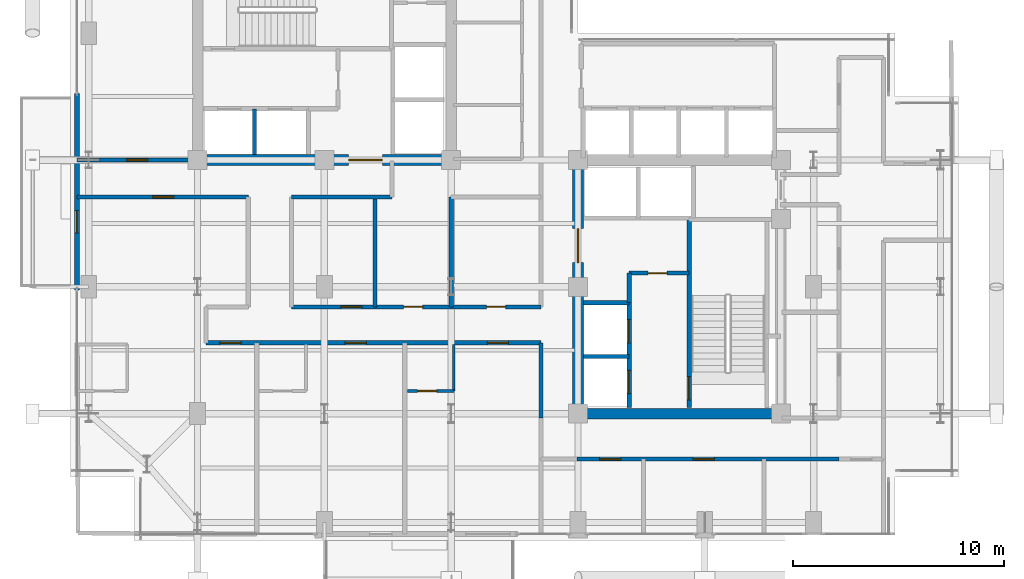
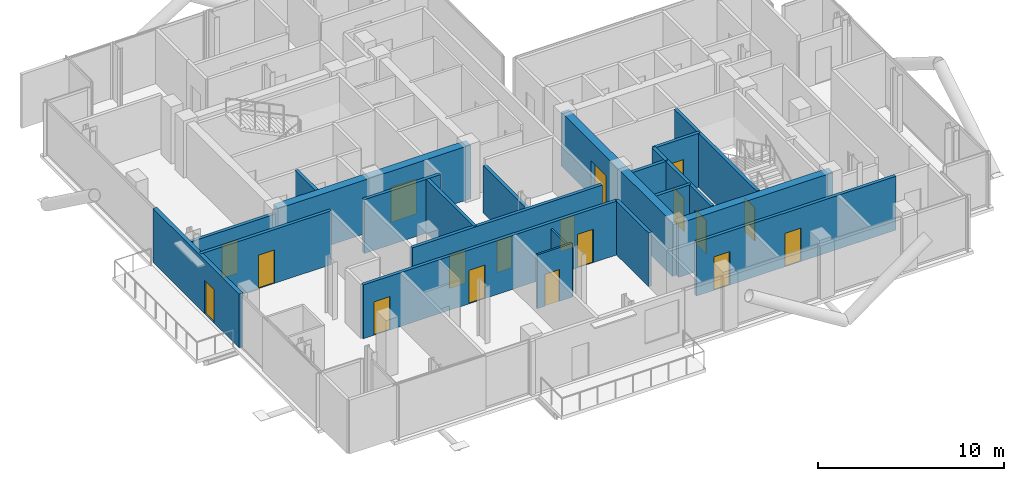
# One storey, part 17 of 22: 22 walls, 18 doors, 18 openings.
"""IFC4 building model written with IfcOpenShell, lengths in metres."""

from ifc_helpers import new_model, si_unit, direction, frame, frame_2d, origin, place, context, subcontext, project, spatial, rectangle, extrude, material, layer, layer_set, type_object, element, fill, save


model = new_model("IFC4")

# Units and contexts
model_context = context("Model", 3, precision=1e-05, world=origin(), true_north=direction((0.0, 1.0)))
body_context = subcontext(model_context, "Body", "Model", "MODEL_VIEW")
ifc_project = project(units=[si_unit("LENGTHUNIT", "METRE"), si_unit("AREAUNIT", "SQUARE_METRE"), si_unit("VOLUMEUNIT", "CUBIC_METRE"), si_unit("PLANEANGLEUNIT", "RADIAN"), si_unit("MASSUNIT", "GRAM", prefix="KILO"), si_unit("THERMODYNAMICTEMPERATUREUNIT", "KELVIN"), si_unit("POWERUNIT", "WATT")], contexts=[model_context])

# Site, building, storey
site_placement = place(None, origin())
site = spatial("IfcSite", under=ifc_project, at=site_placement, CompositionType="ELEMENT")
building_placement = place(site_placement, origin())
building = spatial("IfcBuilding", under=site, at=building_placement, Name="Svarakhadi Broadcast Tower", CompositionType="ELEMENT")
storey_placement = place(building_placement, frame((0.0, 0.0, 172.949951171875)))
storey = spatial("IfcBuildingStorey", under=building, at=storey_placement, Name="L42", CompositionType="ELEMENT", Elevation=172.949951171875)

# Wall, openings, doors
ifc_material_1 = material(Name="Double-Stud Acoustic Studio Partition STC-62", Category="gypsum")
ifc_layer_1 = layer(ifc_material_1, 0.199951171875)
ifc_layer_set_1 = layer_set([ifc_layer_1], Name="Double-Stud Acoustic Studio Partition STC-62")
wall_type_1 = type_object("IfcWallType", Name="Wall_Acoust_200", PredefinedType="PARTITIONING", material=ifc_layer_set_1)
wall_1_placement = place(storey_placement, frame((36.35009765625, 3.85009765625, 0.0), z_axis=(0.0, 0.0, 1.0), x_axis=(-1.0, 0.0, 0.0)))
wall_1 = element("IfcWall", 1, at=wall_1_placement, inside=storey, type_object=wall_type_1, Name="L42 Zone 2/3 Corridor Wall", PredefinedType="PARTITIONING", context=body_context, shape_type="SweptSolid", body=[
    extrude(rectangle(XDim=12.400146484375, YDim=0.199951171875, at=frame_2d((6.2001953125, 0.0))), origin(), (0.0, 0.0, 1.0), 3.5400390625),
])
opening_1_placement = place(wall_1_placement, frame((10.324951171875, 0.0, 0.0)))
opening_1 = element("IfcOpeningElement", 2, at=opening_1_placement, cuts=wall_1, Name="Opening D-09", PredefinedType="OPENING", context=body_context, shape_type="SweptSolid", body=[
    extrude(rectangle(XDim=1.0, YDim=2.199951171875, at=frame_2d((0.5, 1.10009765625))), frame((0.0, 0.10986328125, 0.0), z_axis=(0.0, -1.0, 0.0), x_axis=(1.0, 0.0, 0.0)), (0.0, 0.0, 1.0), 0.219970703125),
])
opening_2_placement = place(wall_1_placement, frame((5.89990234375, 0.0, 0.0)))
opening_2 = element("IfcOpeningElement", 3, at=opening_2_placement, cuts=wall_1, Name="Opening D-08", PredefinedType="OPENING", context=body_context, shape_type="SweptSolid", body=[
    extrude(rectangle(XDim=1.0, YDim=2.199951171875, at=frame_2d((0.5, 1.10009765625))), frame((0.0, 0.10986328125, 0.0), z_axis=(0.0, -1.0, 0.0), x_axis=(1.0, 0.0, 0.0)), (0.0, 0.0, 1.0), 0.219970703125),
])
ifc_material_2 = material(Name="Solid-Core Teak Veneer Acoustic Timber Leaf", Category="wood")
door_type_1 = type_object("IfcDoorType", Name="Door_Suite_D08", OperationType="SINGLE_SWING_LEFT", PredefinedType="DOOR", material=ifc_material_2)
door_1_placement = place(opening_2_placement, origin())
door_1 = element("IfcDoor", 4, at=door_1_placement, inside=storey, type_object=door_type_1, Name="L42 Private Dining Salon Door", OperationType="SINGLE_SWING_LEFT", OverallHeight=2.199951171875, OverallWidth=1.0, PredefinedType="DOOR", context=body_context, shape_type="SweptSolid", body=[
    extrude(rectangle(XDim=1.0, YDim=2.199951171875, at=frame_2d((0.5, 1.10009765625))), frame((0.0, 0.02490234375, 0.0), z_axis=(0.0, -1.0, 0.0), x_axis=(1.0, 0.0, 0.0)), (0.0, 0.0, 1.0), 0.050048828125),
])
fill(opening_2, door_1)
door_type_2 = type_object("IfcDoorType", Name="Door_Suite_D09", OperationType="SINGLE_SWING_RIGHT", PredefinedType="DOOR", material=ifc_material_2)
door_2_placement = place(opening_1_placement, origin())
door_2 = element("IfcDoor", 5, at=door_2_placement, inside=storey, type_object=door_type_2, Name="L42 Hotel Business Centre Office Door", OperationType="SINGLE_SWING_RIGHT", OverallHeight=2.199951171875, OverallWidth=1.0, PredefinedType="DOOR", context=body_context, shape_type="SweptSolid", body=[
    extrude(rectangle(XDim=1.0, YDim=2.199951171875, at=frame_2d((0.5, 1.10009765625))), frame((0.0, 0.02490234375, 0.0), z_axis=(0.0, -1.0, 0.0), x_axis=(1.0, 0.0, 0.0)), (0.0, 0.0, 1.0), 0.050048828125),
])
fill(opening_1, door_2)

# Wall
wall_2_placement = place(storey_placement, frame((22.25, 5.800048828125, 0.0), z_axis=(0.0, 0.0, 1.0), x_axis=(0.0, 1.0, 0.0)))
element("IfcWall", 6, at=wall_2_placement, inside=storey, type_object=wall_type_1, Name="L42 Zone 2/3 Corridor Wall", PredefinedType="PARTITIONING", context=body_context, shape_type="SweptSolid", body=[
    extrude(rectangle(XDim=3.550048828125, YDim=0.199951171875, at=frame_2d((1.77490234375, 0.0))), origin(), (0.0, 0.0, 1.0), 3.5400390625),
])

# Wall, openings, doors
wall_3_placement = place(storey_placement, frame((22.25, 9.35009765625, 0.0), z_axis=(0.0, 0.0, 1.0), x_axis=(-1.0, 0.0, 0.0)))
wall_3 = element("IfcWall", 7, at=wall_3_placement, inside=storey, type_object=wall_type_1, Name="L42 Zone 2/3 Corridor Wall", PredefinedType="PARTITIONING", context=body_context, shape_type="SweptSolid", body=[
    extrude(rectangle(XDim=15.85009765625, YDim=0.199951171875, at=frame_2d((7.925048828125, 0.0))), origin(), (0.0, 0.0, 1.0), 3.5400390625),
])
opening_3_placement = place(wall_3_placement, frame((14.18994140625, 0.0, 0.0)))
opening_3 = element("IfcOpeningElement", 8, at=opening_3_placement, cuts=wall_3, Name="Opening D-09", PredefinedType="OPENING", context=body_context, shape_type="SweptSolid", body=[
    extrude(rectangle(XDim=1.0, YDim=2.199951171875, at=frame_2d((0.5, 1.10009765625))), frame((0.0, 0.10986328125, 0.0), z_axis=(0.0, -1.0, 0.0), x_axis=(1.0, 0.0, 0.0)), (0.0, 0.0, 1.0), 0.219970703125),
])
opening_4_placement = place(wall_3_placement, frame((8.264892578125, 0.0, 0.0)))
opening_4 = element("IfcOpeningElement", 9, at=opening_4_placement, cuts=wall_3, Name="Opening D-08", PredefinedType="OPENING", context=body_context, shape_type="SweptSolid", body=[
    extrude(rectangle(XDim=1.0, YDim=2.199951171875, at=frame_2d((0.5, 1.10009765625))), frame((0.0, 0.10986328125, 0.0), z_axis=(0.0, -1.0, 0.0), x_axis=(1.0, 0.0, 0.0)), (0.0, 0.0, 1.0), 0.219970703125),
])
opening_5_placement = place(wall_3_placement, frame((1.5400390625, 0.0, 0.0)))
opening_5 = element("IfcOpeningElement", 10, at=opening_5_placement, cuts=wall_3, Name="Opening D-09", PredefinedType="OPENING", context=body_context, shape_type="SweptSolid", body=[
    extrude(rectangle(XDim=1.0, YDim=2.199951171875, at=frame_2d((0.5, 1.10009765625))), frame((0.0, 0.10986328125, 0.0), z_axis=(0.0, -1.0, 0.0), x_axis=(1.0, 0.0, 0.0)), (0.0, 0.0, 1.0), 0.219970703125),
])
door_3_placement = place(opening_4_placement, origin())
door_3 = element("IfcDoor", 11, at=door_3_placement, inside=storey, type_object=door_type_1, Name="L42 Deluxe Sea-View Guest Room 02 Entrance Door", OperationType="SINGLE_SWING_LEFT", OverallHeight=2.199951171875, OverallWidth=1.0, PredefinedType="DOOR", context=body_context, shape_type="SweptSolid", body=[
    extrude(rectangle(XDim=1.0, YDim=2.199951171875, at=frame_2d((0.5, 1.10009765625))), frame((0.0, 0.02490234375, 0.0), z_axis=(0.0, -1.0, 0.0), x_axis=(1.0, 0.0, 0.0)), (0.0, 0.0, 1.0), 0.050048828125),
])
fill(opening_4, door_3)
door_4_placement = place(opening_3_placement, origin())
door_4 = element("IfcDoor", 12, at=door_4_placement, inside=storey, type_object=door_type_2, Name="L42 Deluxe Sea-View Guest Room 01 Entrance Door", OperationType="SINGLE_SWING_RIGHT", OverallHeight=2.199951171875, OverallWidth=1.0, PredefinedType="DOOR", context=body_context, shape_type="SweptSolid", body=[
    extrude(rectangle(XDim=1.0, YDim=2.199951171875, at=frame_2d((0.5, 1.10009765625))), frame((0.0, 0.02490234375, 0.0), z_axis=(0.0, -1.0, 0.0), x_axis=(1.0, 0.0, 0.0)), (0.0, 0.0, 1.0), 0.050048828125),
])
fill(opening_3, door_4)
door_5_placement = place(opening_5_placement, origin())
door_5 = element("IfcDoor", 13, at=door_5_placement, inside=storey, type_object=door_type_2, Name="L42 Deluxe Sea-View Guest Room 03 Entrance Door", OperationType="SINGLE_SWING_RIGHT", OverallHeight=2.199951171875, OverallWidth=1.0, PredefinedType="DOOR", context=body_context, shape_type="SweptSolid", body=[
    extrude(rectangle(XDim=1.0, YDim=2.199951171875, at=frame_2d((0.5, 1.10009765625))), frame((0.0, 0.02490234375, 0.0), z_axis=(0.0, -1.0, 0.0), x_axis=(1.0, 0.0, 0.0)), (0.0, 0.0, 1.0), 0.050048828125),
])
fill(opening_5, door_5)

# Wall, opening, door
wall_4_placement = place(storey_placement, frame((8.39990234375, 16.25, 0.0), z_axis=(0.0, 0.0, 1.0), x_axis=(-1.0, 0.0, 0.0)))
wall_4 = element("IfcWall", 14, at=wall_4_placement, inside=storey, type_object=wall_type_1, Name="L42 Zone 2/3 Corridor Wall", PredefinedType="PARTITIONING", context=body_context, shape_type="SweptSolid", body=[
    extrude(rectangle(XDim=8.099853515625, YDim=0.199951171875, at=frame_2d((4.0498046875, 0.0))), origin(), (0.0, 0.0, 1.0), 3.5400390625),
])
opening_6_placement = place(wall_4_placement, frame((3.52490234375, 0.0, 0.0)))
opening_6 = element("IfcOpeningElement", 15, at=opening_6_placement, cuts=wall_4, Name="Opening D-08", PredefinedType="OPENING", context=body_context, shape_type="SweptSolid", body=[
    extrude(rectangle(XDim=1.0, YDim=2.199951171875, at=frame_2d((0.5, 1.10009765625))), frame((0.0, 0.10986328125, 0.0), z_axis=(0.0, -1.0, 0.0), x_axis=(1.0, 0.0, 0.0)), (0.0, 0.0, 1.0), 0.219970703125),
])
door_6_placement = place(opening_6_placement, origin())
door_6 = element("IfcDoor", 16, at=door_6_placement, inside=storey, type_object=door_type_1, Name="L42 Arabian Sea Club Lounge Door", OperationType="SINGLE_SWING_LEFT", OverallHeight=2.199951171875, OverallWidth=1.0, PredefinedType="DOOR", context=body_context, shape_type="SweptSolid", body=[
    extrude(rectangle(XDim=1.0, YDim=2.199951171875, at=frame_2d((0.5, 1.10009765625))), frame((0.0, 0.02490234375, 0.0), z_axis=(0.0, -1.0, 0.0), x_axis=(1.0, 0.0, 0.0)), (0.0, 0.0, 1.0), 0.050048828125),
])
fill(opening_6, door_6)

# Wall
wall_5_placement = place(storey_placement, frame((15.199951171875, 16.25, 0.0), z_axis=(0.0, 0.0, 1.0), x_axis=(-1.0, 0.0, 0.0)))
element("IfcWall", 17, at=wall_5_placement, inside=storey, type_object=wall_type_1, Name="L42 Zone 2/3 Corridor Wall", PredefinedType="PARTITIONING", context=body_context, shape_type="SweptSolid", body=[
    extrude(rectangle(XDim=4.75, YDim=0.199951171875, at=frame_2d((2.375, 0.0))), origin(), (0.0, 0.0, 1.0), 3.5400390625),
])

# Wall, openings, doors
wall_6_placement = place(storey_placement, frame((10.449951171875, 11.050048828125, 0.0), z_axis=(0.0, 0.0, 1.0), x_axis=(1.0, 0.0, 0.0)))
wall_6 = element("IfcWall", 18, at=wall_6_placement, inside=storey, type_object=wall_type_1, Name="L42 Zone 2/3 Corridor Wall", PredefinedType="PARTITIONING", context=body_context, shape_type="SweptSolid", body=[
    extrude(rectangle(XDim=11.800048828125, YDim=0.199951171875, at=frame_2d((5.89990234375, 0.0))), origin(), (0.0, 0.0, 1.0), 3.5400390625),
])
opening_7_placement = place(wall_6_placement, frame((2.330078125, 0.0, 0.0)))
opening_7 = element("IfcOpeningElement", 19, at=opening_7_placement, cuts=wall_6, Name="Opening D-09", PredefinedType="OPENING", context=body_context, shape_type="SweptSolid", body=[
    extrude(rectangle(XDim=1.0, YDim=2.199951171875, at=frame_2d((0.5, 1.10009765625))), frame((0.0, 0.10986328125, 0.0), z_axis=(0.0, -1.0, 0.0), x_axis=(1.0, 0.0, 0.0)), (0.0, 0.0, 1.0), 0.219970703125),
])
opening_8_placement = place(wall_6_placement, frame((5.300048828125, 0.0, 0.0)))
opening_8 = element("IfcOpeningElement", 20, at=opening_8_placement, cuts=wall_6, Name="Opening D-12", PredefinedType="OPENING", context=body_context, shape_type="SweptSolid", body=[
    extrude(rectangle(XDim=0.89990234375, YDim=2.10009765625, at=frame_2d((0.449951171875, 1.050048828125))), frame((0.0, 0.10986328125, 0.0), z_axis=(0.0, -1.0, 0.0), x_axis=(1.0, 0.0, 0.0)), (0.0, 0.0, 1.0), 0.219970703125),
])
opening_9_placement = place(wall_6_placement, frame((9.22509765625, 0.0, 0.0)))
opening_9 = element("IfcOpeningElement", 21, at=opening_9_placement, cuts=wall_6, Name="Opening D-13", PredefinedType="OPENING", context=body_context, shape_type="SweptSolid", body=[
    extrude(rectangle(XDim=0.89990234375, YDim=2.10009765625, at=frame_2d((0.449951171875, 1.050048828125))), frame((0.0, 0.10986328125, 0.0), z_axis=(0.0, -1.0, 0.0), x_axis=(1.0, 0.0, 0.0)), (0.0, 0.0, 1.0), 0.219970703125),
])
door_type_3 = type_object("IfcDoorType", Name="Door_Closet_D13", OperationType="SINGLE_SWING_RIGHT", PredefinedType="DOOR", material=ifc_material_2)
door_7_placement = place(opening_9_placement, origin())
door_7 = element("IfcDoor", 22, at=door_7_placement, inside=storey, type_object=door_type_3, Name="L42 Accessible Floor Washroom WC Door", OperationType="SINGLE_SWING_RIGHT", OverallHeight=2.10009765625, OverallWidth=0.89990234375, PredefinedType="DOOR", context=body_context, shape_type="SweptSolid", body=[
    extrude(rectangle(XDim=0.89990234375, YDim=2.10009765625, at=frame_2d((0.449951171875, 1.050048828125))), frame((0.0, 0.02490234375, 0.0), z_axis=(0.0, -1.0, 0.0), x_axis=(1.0, 0.0, 0.0)), (0.0, 0.0, 1.0), 0.050048828125),
])
fill(opening_9, door_7)
door_8_placement = place(opening_7_placement, origin())
door_8 = element("IfcDoor", 23, at=door_8_placement, inside=storey, type_object=door_type_2, Name="L42 Acoustic Huddle Booth Door", OperationType="SINGLE_SWING_RIGHT", OverallHeight=2.199951171875, OverallWidth=1.0, PredefinedType="DOOR", context=body_context, shape_type="SweptSolid", body=[
    extrude(rectangle(XDim=1.0, YDim=2.199951171875, at=frame_2d((0.5, 1.10009765625))), frame((0.0, 0.02490234375, 0.0), z_axis=(0.0, -1.0, 0.0), x_axis=(1.0, 0.0, 0.0)), (0.0, 0.0, 1.0), 0.050048828125),
])
fill(opening_7, door_8)
door_type_4 = type_object("IfcDoorType", Name="Door_WC_D01", OperationType="SINGLE_SWING_LEFT", PredefinedType="DOOR", material=ifc_material_2)
door_9_placement = place(opening_8_placement, origin())
door_9 = element("IfcDoor", 24, at=door_9_placement, inside=storey, type_object=door_type_4, Name="L42 Tea Bar Pantry Door", OperationType="SINGLE_SWING_LEFT", OverallHeight=2.10009765625, OverallWidth=0.89990234375, PredefinedType="DOOR", context=body_context, shape_type="SweptSolid", body=[
    extrude(rectangle(XDim=0.89990234375, YDim=2.10009765625, at=frame_2d((0.449951171875, 1.050048828125))), frame((0.0, 0.02490234375, 0.0), z_axis=(0.0, -1.0, 0.0), x_axis=(1.0, 0.0, 0.0)), (0.0, 0.0, 1.0), 0.050048828125),
])
fill(opening_8, door_9)

# Walls
wall_7_placement = place(storey_placement, frame((14.39990234375, 11.050048828125, 0.0), z_axis=(0.0, 0.0, 1.0), x_axis=(0.0, 1.0, 0.0)))
element("IfcWall", 25, at=wall_7_placement, inside=storey, type_object=wall_type_1, Name="L42 Acoustic Huddle Booth Wall", PredefinedType="PARTITIONING", context=body_context, shape_type="SweptSolid", body=[
    extrude(rectangle(XDim=5.199951171875, YDim=0.199951171875, at=frame_2d((2.60009765625, 0.0))), origin(), (0.0, 0.0, 1.0), 3.5400390625),
])
wall_8_placement = place(storey_placement, frame((18.0, 11.050048828125, 0.0), z_axis=(0.0, 0.0, 1.0), x_axis=(0.0, 1.0, 0.0)))
element("IfcWall", 26, at=wall_8_placement, inside=storey, type_object=wall_type_1, Name="L42 Tea Bar Pantry Wall", PredefinedType="PARTITIONING", context=body_context, shape_type="SweptSolid", body=[
    extrude(rectangle(XDim=5.199951171875, YDim=0.199951171875, at=frame_2d((2.60009765625, 0.0))), origin(), (0.0, 0.0, 1.0), 3.132080078125),
])

# Wall, opening, door
wall_9_placement = place(storey_placement, frame((0.300048828125, 18.0, 0.0), z_axis=(0.0, 0.0, 1.0), x_axis=(1.0, 0.0, 0.0)))
wall_9 = element("IfcWall", 27, at=wall_9_placement, inside=storey, type_object=wall_type_1, Name="L42 Sea-View Panorama Club Salon Wall", PredefinedType="PARTITIONING", context=body_context, shape_type="SweptSolid", body=[
    extrude(rectangle(XDim=5.64990234375, YDim=0.199951171875, at=frame_2d((2.824951171875, 0.0))), origin(), (0.0, 0.0, 1.0), 3.132080078125),
])
opening_10_placement = place(wall_9_placement, frame((2.35009765625, 0.0, 0.0)))
opening_10 = element("IfcOpeningElement", 28, at=opening_10_placement, cuts=wall_9, Name="Opening D-08", PredefinedType="OPENING", context=body_context, shape_type="SweptSolid", body=[
    extrude(rectangle(XDim=1.0, YDim=2.199951171875, at=frame_2d((0.5, 1.10009765625))), frame((0.0, 0.10986328125, 0.0), z_axis=(0.0, -1.0, 0.0), x_axis=(1.0, 0.0, 0.0)), (0.0, 0.0, 1.0), 0.219970703125),
])
door_10_placement = place(opening_10_placement, origin())
door_10 = element("IfcDoor", 29, at=door_10_placement, inside=storey, type_object=door_type_1, Name="L42 Sea-View Panorama Club Salon Door", OperationType="SINGLE_SWING_LEFT", OverallHeight=2.199951171875, OverallWidth=1.0, PredefinedType="DOOR", context=body_context, shape_type="SweptSolid", body=[
    extrude(rectangle(XDim=1.0, YDim=2.199951171875, at=frame_2d((0.5, 1.10009765625))), frame((0.0, 0.02490234375, 0.0), z_axis=(0.0, -1.0, 0.0), x_axis=(1.0, 0.0, 0.0)), (0.0, 0.0, 1.0), 0.050048828125),
])
fill(opening_10, door_10)

ifc_material_3 = material(Name="Concrete C40/50 (IS 456 M50)", Category="concrete")
ifc_layer_2 = layer(ifc_material_3, 0.239990234375)
ifc_layer_set_2 = layer_set([ifc_layer_2], Name="Concrete C40/50 (IS 456 M50)")
wall_type_2 = type_object("IfcWallType", Name="Wall_Ext_240", PredefinedType="SOLIDWALL", material=ifc_layer_set_2)
wall_10_placement = place(storey_placement, frame((0.300048828125, 11.85498046875, 0.0), z_axis=(0.0, 0.0, 1.0), x_axis=(0.0, 1.0, 0.0)))
wall_10 = element("IfcWall", 30, at=wall_10_placement, inside=storey, type_object=wall_type_2, Name="L42 West Tree Balcony Spandrel Wall", PredefinedType="SOLIDWALL", context=body_context, shape_type="SweptSolid", body=[
    extrude(rectangle(XDim=9.2900390625, YDim=0.239990234375, at=frame_2d((4.64501953125, 0.0))), origin(), (0.0, 0.0, 1.0), 3.5400390625),
])
opening_11_placement = place(wall_10_placement, frame((2.699951171875, 0.0, 0.0)))
opening_11 = element("IfcOpeningElement", 31, at=opening_11_placement, cuts=wall_10, Name="Opening ED-05", PredefinedType="OPENING", context=body_context, shape_type="SweptSolid", body=[
    extrude(rectangle(XDim=1.050048828125, YDim=2.199951171875, at=frame_2d((0.52490234375, 1.10009765625))), frame((0.0, 0.1298828125, 0.0), z_axis=(0.0, -1.0, 0.0), x_axis=(1.0, 0.0, 0.0)), (0.0, 0.0, 1.0), 0.260009765625),
])
ifc_material_4 = material(Name="Anodised Bronze Aluminium AA 6063-T6", Category="aluminium")
door_type_5 = type_object("IfcDoorType", Name="Door_Ext_ED05", OperationType="SINGLE_SWING_LEFT", PredefinedType="DOOR", material=ifc_material_4)
door_11_placement = place(opening_11_placement, origin())
door_11 = element("IfcDoor", 32, at=door_11_placement, inside=storey, type_object=door_type_5, Name="L42 West Tree Balcony Door", OperationType="SINGLE_SWING_LEFT", OverallHeight=2.199951171875, OverallWidth=1.050048828125, PredefinedType="DOOR", context=body_context, shape_type="SweptSolid", body=[
    extrude(rectangle(XDim=1.050048828125, YDim=2.199951171875, at=frame_2d((0.52490234375, 1.10009765625))), frame((0.0, 0.02490234375, 0.0), z_axis=(0.0, -1.0, 0.0), x_axis=(1.0, 0.0, 0.0)), (0.0, 0.0, 1.0), 0.050048828125),
])
fill(opening_11, door_11)

ifc_material_5 = material(Name="Fire-Rated Moisture-Resistant Gypsum Board Partition", Category="gypsum")
ifc_layer_3 = layer(ifc_material_5, 0.125)
ifc_layer_set_3 = layer_set([ifc_layer_3], Name="Fire-Rated Moisture-Resistant Gypsum Board Partition")
wall_type_3 = type_object("IfcWallType", Name="Wall_Part_125", PredefinedType="PARTITIONING", material=ifc_layer_set_3)
wall_11_placement = place(storey_placement, frame((15.929931640625, 7.070068359375, 0.0), z_axis=(0.0, 0.0, 1.0), x_axis=(1.0, 0.0, 0.0)))
wall_11 = element("IfcWall", 33, at=wall_11_placement, inside=storey, type_object=wall_type_3, Name="L42 Deluxe Sea-View Guest Room 03 En-Suite Wall", PredefinedType="PARTITIONING", context=body_context, shape_type="SweptSolid", body=[
    extrude(rectangle(XDim=2.199951171875, YDim=0.125, at=frame_2d((1.10009765625, 0.0))), origin(), (0.0, 0.0, 1.0), 3.5400390625),
])
opening_12_placement = place(wall_11_placement, frame((0.47998046875, 0.0, 0.0)))
opening_12 = element("IfcOpeningElement", 34, at=opening_12_placement, cuts=wall_11, Name="Opening D-12", PredefinedType="OPENING", context=body_context, shape_type="SweptSolid", body=[
    extrude(rectangle(XDim=0.89990234375, YDim=2.10009765625, at=frame_2d((0.449951171875, 1.050048828125))), frame((0.0, 0.072509765625, 0.0), z_axis=(0.0, -1.0, 0.0), x_axis=(1.0, 0.0, 0.0)), (0.0, 0.0, 1.0), 0.14501953125),
])
door_12_placement = place(opening_12_placement, origin())
door_12 = element("IfcDoor", 35, at=door_12_placement, inside=storey, type_object=door_type_4, Name="L42 Deluxe Sea-View Guest Room 03 En-Suite Door", OperationType="SINGLE_SWING_LEFT", OverallHeight=2.10009765625, OverallWidth=0.89990234375, PredefinedType="DOOR", context=body_context, shape_type="SweptSolid", body=[
    extrude(rectangle(XDim=0.89990234375, YDim=2.10009765625, at=frame_2d((0.449951171875, 1.050048828125))), frame((0.0, 0.02490234375, 0.0), z_axis=(0.0, -1.0, 0.0), x_axis=(1.0, 0.0, 0.0)), (0.0, 0.0, 1.0), 0.050048828125),
])
fill(opening_12, door_12)

# Wall
wall_12_placement = place(storey_placement, frame((18.1298828125, 7.070068359375, 0.0), z_axis=(0.0, 0.0, 1.0), x_axis=(0.0, 1.0, 0.0)))
element("IfcWall", 36, at=wall_12_placement, inside=storey, type_object=wall_type_3, Name="L42 Deluxe Sea-View Guest Room 03 En-Suite Wall", PredefinedType="PARTITIONING", context=body_context, shape_type="SweptSolid", body=[
    extrude(rectangle(XDim=2.199951171875, YDim=0.125, at=frame_2d((1.10009765625, 0.0))), origin(), (0.0, 0.0, 1.0), 3.132080078125),
])

# Wall, opening, door
ifc_material_6 = material(Name="Concrete C50/60 (IS 456 M60)", Category="concrete")
ifc_layer_4 = layer(ifc_material_6, 0.199951171875)
ifc_layer_set_4 = layer_set([ifc_layer_4], Name="Concrete C50/60 (IS 456 M60)")
wall_type_4 = type_object("IfcWallType", Name="Wall_Shear_200", PredefinedType="SHEAR", material=ifc_layer_set_4)
wall_13_placement = place(storey_placement, frame((29.260009765625, 6.300048828125, 0.0), z_axis=(0.0, 0.0, 1.0), x_axis=(0.0, 1.0, 0.0)))
wall_13 = element("IfcWall", 37, at=wall_13_placement, inside=storey, type_object=wall_type_4, Name="L42 Stair ST-02 West RC Shaft Wall", PredefinedType="SHEAR", context=body_context, shape_type="SweptSolid", body=[
    extrude(rectangle(XDim=8.8798828125, YDim=0.199951171875, at=frame_2d((4.43994140625, 0.0))), origin(), (0.0, 0.0, 1.0), 3.5400390625),
])
opening_13_placement = place(wall_13_placement, frame((0.35009765625, 0.0, 0.0)))
opening_13 = element("IfcOpeningElement", 38, at=opening_13_placement, cuts=wall_13, Name="Opening D-02", PredefinedType="OPENING", context=body_context, shape_type="SweptSolid", body=[
    extrude(rectangle(XDim=1.10009765625, YDim=2.199951171875, at=frame_2d((0.550048828125, 1.10009765625))), frame((0.0, 0.10986328125, 0.0), z_axis=(0.0, -1.0, 0.0), x_axis=(1.0, 0.0, 0.0)), (0.0, 0.0, 1.0), 0.219970703125),
])
ifc_material_7 = material(Name="Galvanised Powder-Coated Fire-Rated Steel Leaf", Category="steel")
door_type_6 = type_object("IfcDoorType", Name="Door_Stair_D02", OperationType="SINGLE_SWING_RIGHT", PredefinedType="DOOR", material=ifc_material_7)
door_13_placement = place(opening_13_placement, origin())
door_13 = element("IfcDoor", 39, at=door_13_placement, inside=storey, type_object=door_type_6, Name="L42 Protected Exit Stair ST-02 Fire Door", OperationType="SINGLE_SWING_RIGHT", OverallHeight=2.199951171875, OverallWidth=1.10009765625, PredefinedType="DOOR", context=body_context, shape_type="SweptSolid", body=[
    extrude(rectangle(XDim=1.10009765625, YDim=2.199951171875, at=frame_2d((0.550048828125, 1.10009765625))), frame((0.0, 0.02490234375, 0.0), z_axis=(0.0, -1.0, 0.0), x_axis=(1.0, 0.0, 0.0)), (0.0, 0.0, 1.0), 0.050048828125),
])
fill(opening_13, door_13)

# Wall
wall_14_placement = place(storey_placement, frame((8.699951171875, 18.25, 0.0), z_axis=(0.0, 0.0, 1.0), x_axis=(0.0, 1.0, 0.0)))
element("IfcWall", 40, at=wall_14_placement, inside=storey, type_object=wall_type_4, Name="L42 Firefighting Lift LF-01/02 Divider Wall", PredefinedType="SHEAR", context=body_context, shape_type="SweptSolid", body=[
    extrude(rectangle(XDim=2.169921875, YDim=0.199951171875, at=frame_2d((1.0849609375, 0.0))), origin(), (0.0, 0.0, 1.0), 3.5400390625),
])

# Wall, openings, doors
wall_15_placement = place(storey_placement, frame((26.419921875, 6.300048828125, 0.0), z_axis=(0.0, 0.0, 1.0), x_axis=(0.0, 1.0, 0.0)))
wall_15 = element("IfcWall", 41, at=wall_15_placement, inside=storey, type_object=wall_type_4, Name="L42 Firefighting Lift LF-03/04 Shaft Wall", PredefinedType="SHEAR", context=body_context, shape_type="SweptSolid", body=[
    extrude(rectangle(XDim=4.949951171875, YDim=0.199951171875, at=frame_2d((2.47509765625, 0.0))), origin(), (0.0, 0.0, 1.0), 3.5400390625),
])
opening_14_placement = place(wall_15_placement, frame((0.64990234375, 0.0, 0.0)))
opening_14 = element("IfcOpeningElement", 42, at=opening_14_placement, cuts=wall_15, Name="Opening LD-01", PredefinedType="OPENING", context=body_context, shape_type="SweptSolid", body=[
    extrude(rectangle(XDim=1.10009765625, YDim=2.199951171875, at=frame_2d((0.550048828125, 1.10009765625))), frame((0.0, 0.10986328125, 0.0), z_axis=(0.0, -1.0, 0.0), x_axis=(1.0, 0.0, 0.0)), (0.0, 0.0, 1.0), 0.219970703125),
])
opening_15_placement = place(wall_15_placement, frame((3.050048828125, 0.0, 0.0)))
opening_15 = element("IfcOpeningElement", 43, at=opening_15_placement, cuts=wall_15, Name="Opening LD-01", PredefinedType="OPENING", context=body_context, shape_type="SweptSolid", body=[
    extrude(rectangle(XDim=1.10009765625, YDim=2.199951171875, at=frame_2d((0.550048828125, 1.10009765625))), frame((0.0, 0.10986328125, 0.0), z_axis=(0.0, -1.0, 0.0), x_axis=(1.0, 0.0, 0.0)), (0.0, 0.0, 1.0), 0.219970703125),
])
door_type_7 = type_object("IfcDoorType", Name="Door_Lift_LD01", OperationType="SLIDING_TO_LEFT", PredefinedType="DOOR", material=ifc_material_7)
door_14_placement = place(opening_14_placement, origin())
door_14 = element("IfcDoor", 44, at=door_14_placement, inside=storey, type_object=door_type_7, Name="L42 Firefighting Lift LF-03 Landing Door", OperationType="SLIDING_TO_LEFT", OverallHeight=2.199951171875, OverallWidth=1.10009765625, PredefinedType="DOOR", context=body_context, shape_type="SweptSolid", body=[
    extrude(rectangle(XDim=1.10009765625, YDim=2.199951171875, at=frame_2d((0.550048828125, 1.10009765625))), frame((0.0, 0.02490234375, 0.0), z_axis=(0.0, -1.0, 0.0), x_axis=(1.0, 0.0, 0.0)), (0.0, 0.0, 1.0), 0.050048828125),
])
fill(opening_14, door_14)
door_15_placement = place(opening_15_placement, origin())
door_15 = element("IfcDoor", 45, at=door_15_placement, inside=storey, type_object=door_type_7, Name="L42 Firefighting Lift LF-04 Landing Door", OperationType="SLIDING_TO_LEFT", OverallHeight=2.199951171875, OverallWidth=1.10009765625, PredefinedType="DOOR", context=body_context, shape_type="SweptSolid", body=[
    extrude(rectangle(XDim=1.10009765625, YDim=2.199951171875, at=frame_2d((0.550048828125, 1.10009765625))), frame((0.0, 0.02490234375, 0.0), z_axis=(0.0, -1.0, 0.0), x_axis=(1.0, 0.0, 0.0)), (0.0, 0.0, 1.0), 0.050048828125),
])
fill(opening_15, door_15)

# Walls
for number, where, z_axis, x_axis, name in (
    (46, (24.25, 8.699951171875, 0.0), (0.0, 0.0, 1.0), (1.0, 0.0, 0.0), "L42 Firefighting Lift LF-03/04 Divider Wall"),
    (47, (24.25, 11.25, 0.0), (0.0, 0.0, 1.0), (1.0, 0.0, 0.0), "L42 Firefighting Lift LF-04 North Wall"),
):
    element("IfcWall", number, at=place(storey_placement, frame(where, z_axis=z_axis, x_axis=x_axis)), inside=storey, type_object=wall_type_4, Name=name, PredefinedType="SHEAR", context=body_context, shape_type="SweptSolid", body=[
        extrude(rectangle(XDim=2.169921875, YDim=0.199951171875, at=frame_2d((1.0849609375, 0.0))), origin(), (0.0, 0.0, 1.0), 3.5400390625),
    ])
wall_16_placement = place(storey_placement, frame((26.419921875, 11.25, 0.0), z_axis=(0.0, 0.0, 1.0), x_axis=(0.0, 1.0, 0.0)))
element("IfcWall", 48, at=wall_16_placement, inside=storey, type_object=wall_type_4, Name="L42 East Firefighting Lobby West Wall", PredefinedType="SHEAR", context=body_context, shape_type="SweptSolid", body=[
    extrude(rectangle(XDim=1.39990234375, YDim=0.199951171875, at=frame_2d((0.699951171875, 0.0))), origin(), (0.0, 0.0, 1.0), 3.5400390625),
])

# Wall, opening, door
wall_17_placement = place(storey_placement, frame((26.419921875, 12.64990234375, 0.0), z_axis=(0.0, 0.0, 1.0), x_axis=(1.0, 0.0, 0.0)))
wall_17 = element("IfcWall", 49, at=wall_17_placement, inside=storey, type_object=wall_type_4, Name="L42 East Firefighting Lobby North Wall", PredefinedType="SHEAR", context=body_context, shape_type="SweptSolid", body=[
    extrude(rectangle(XDim=2.840087890625, YDim=0.199951171875, at=frame_2d((1.419921875, 0.0))), origin(), (0.0, 0.0, 1.0), 3.5400390625),
])
opening_16_placement = place(wall_17_placement, frame((0.89990234375, 0.0, 0.0)))
opening_16 = element("IfcOpeningElement", 50, at=opening_16_placement, cuts=wall_17, Name="Opening D-04", PredefinedType="OPENING", context=body_context, shape_type="SweptSolid", body=[
    extrude(rectangle(XDim=0.89990234375, YDim=2.14990234375, at=frame_2d((0.449951171875, 1.074951171875))), frame((0.0, 0.10986328125, 0.0), z_axis=(0.0, -1.0, 0.0), x_axis=(1.0, 0.0, 0.0)), (0.0, 0.0, 1.0), 0.219970703125),
])
door_type_8 = type_object("IfcDoorType", Name="Door_Fire_D04", OperationType="SINGLE_SWING_RIGHT", PredefinedType="DOOR", material=ifc_material_7)
door_16_placement = place(opening_16_placement, origin())
door_16 = element("IfcDoor", 51, at=door_16_placement, inside=storey, type_object=door_type_8, Name="L42 East Firefighting Lobby Fire Door", OperationType="SINGLE_SWING_RIGHT", OverallHeight=2.14990234375, OverallWidth=0.89990234375, PredefinedType="DOOR", context=body_context, shape_type="SweptSolid", body=[
    extrude(rectangle(XDim=0.89990234375, YDim=2.14990234375, at=frame_2d((0.449951171875, 1.074951171875))), frame((0.0, 0.02490234375, 0.0), z_axis=(0.0, -1.0, 0.0), x_axis=(1.0, 0.0, 0.0)), (0.0, 0.0, 1.0), 0.050048828125),
])
fill(opening_16, door_16)

ifc_layer_5 = layer(ifc_material_6, 0.5)
ifc_layer_set_5 = layer_set([ifc_layer_5], Name="Concrete C50/60 (IS 456 M60)")
wall_type_5 = type_object("IfcWallType", Name="Wall_Shear_500", PredefinedType="SHEAR", material=ifc_layer_set_5)
wall_18_placement = place(storey_placement, frame((6.0, 18.0, 0.0), z_axis=(0.0, 0.0, 1.0), x_axis=(1.0, 0.0, 0.0)))
wall_18 = element("IfcWall", 52, at=wall_18_placement, inside=storey, type_object=wall_type_5, Name="L42 West Core South Shear Wall", PredefinedType="SHEAR", context=body_context, shape_type="SweptSolid", body=[
    extrude(rectangle(XDim=12.0, YDim=0.5, at=frame_2d((6.0, 0.0))), origin(), (0.0, 0.0, 1.0), 3.5400390625),
])
opening_17_placement = place(wall_18_placement, frame((7.14990234375, 0.0, 0.0)))
opening_17 = element("IfcOpeningElement", 53, at=opening_17_placement, cuts=wall_18, Name="Opening D-05", PredefinedType="OPENING", context=body_context, shape_type="SweptSolid", body=[
    extrude(rectangle(XDim=1.60009765625, YDim=2.300048828125, at=frame_2d((0.800048828125, 1.14990234375))), frame((0.0, 0.260009765625, 0.0), z_axis=(0.0, -1.0, 0.0), x_axis=(1.0, 0.0, 0.0)), (0.0, 0.0, 1.0), 0.52001953125),
])
door_type_9 = type_object("IfcDoorType", Name="Door_Lobby_D05", OperationType="DOUBLE_DOOR_SLIDING", PredefinedType="DOOR", material=ifc_material_4)
door_17_placement = place(opening_17_placement, origin())
door_17 = element("IfcDoor", 54, at=door_17_placement, inside=storey, type_object=door_type_9, Name="L42 West Core Passenger Lift Lobby Entrance Door", OperationType="DOUBLE_DOOR_SLIDING", OverallHeight=2.300048828125, OverallWidth=1.60009765625, PredefinedType="DOOR", context=body_context, shape_type="SweptSolid", body=[
    extrude(rectangle(XDim=1.60009765625, YDim=2.300048828125, at=frame_2d((0.800048828125, 1.14990234375))), frame((0.0, 0.02490234375, 0.0), z_axis=(0.0, -1.0, 0.0), x_axis=(1.0, 0.0, 0.0)), (0.0, 0.0, 1.0), 0.050048828125),
])
fill(opening_17, door_17)

# Wall
wall_19_placement = place(storey_placement, frame((24.0, 6.0, 0.0), z_axis=(0.0, 0.0, 1.0), x_axis=(1.0, 0.0, 0.0)))
element("IfcWall", 55, at=wall_19_placement, inside=storey, type_object=wall_type_5, Name="L42 East Core South Shear Wall", PredefinedType="SHEAR", context=body_context, shape_type="SweptSolid", body=[
    extrude(rectangle(XDim=9.60009765625, YDim=0.5, at=frame_2d((4.800048828125, 0.0))), origin(), (0.0, 0.0, 1.0), 3.5400390625),
])

# Wall, opening, door
wall_20_placement = place(storey_placement, frame((24.0, 6.0, 0.0), z_axis=(0.0, 0.0, 1.0), x_axis=(0.0, 1.0, 0.0)))
wall_20 = element("IfcWall", 56, at=wall_20_placement, inside=storey, type_object=wall_type_5, Name="L42 East Core West Shear Wall", PredefinedType="SHEAR", context=body_context, shape_type="SweptSolid", body=[
    extrude(rectangle(XDim=12.0, YDim=0.5, at=frame_2d((6.0, 0.0))), origin(), (0.0, 0.0, 1.0), 3.5400390625),
])
opening_18_placement = place(wall_20_placement, frame((7.14990234375, 0.0, 0.0)))
opening_18 = element("IfcOpeningElement", 57, at=opening_18_placement, cuts=wall_20, Name="Opening D-05", PredefinedType="OPENING", context=body_context, shape_type="SweptSolid", body=[
    extrude(rectangle(XDim=1.60009765625, YDim=2.300048828125, at=frame_2d((0.800048828125, 1.14990234375))), frame((0.0, 0.260009765625, 0.0), z_axis=(0.0, -1.0, 0.0), x_axis=(1.0, 0.0, 0.0)), (0.0, 0.0, 1.0), 0.52001953125),
])
door_18_placement = place(opening_18_placement, origin())
door_18 = element("IfcDoor", 58, at=door_18_placement, inside=storey, type_object=door_type_9, Name="L42 East Core Passenger Lift Lobby Entrance Door", OperationType="DOUBLE_DOOR_SLIDING", OverallHeight=2.300048828125, OverallWidth=1.60009765625, PredefinedType="DOOR", context=body_context, shape_type="SweptSolid", body=[
    extrude(rectangle(XDim=1.60009765625, YDim=2.300048828125, at=frame_2d((0.800048828125, 1.14990234375))), frame((0.0, 0.02490234375, 0.0), z_axis=(0.0, -1.0, 0.0), x_axis=(1.0, 0.0, 0.0)), (0.0, 0.0, 1.0), 0.050048828125),
])
fill(opening_18, door_18)

save(model, "model.ifc")
